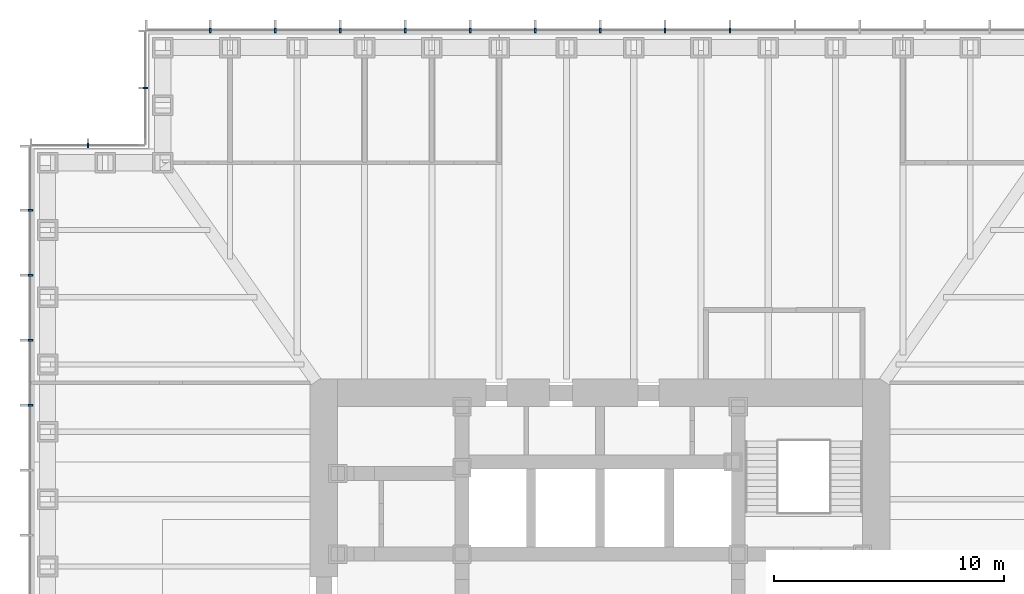
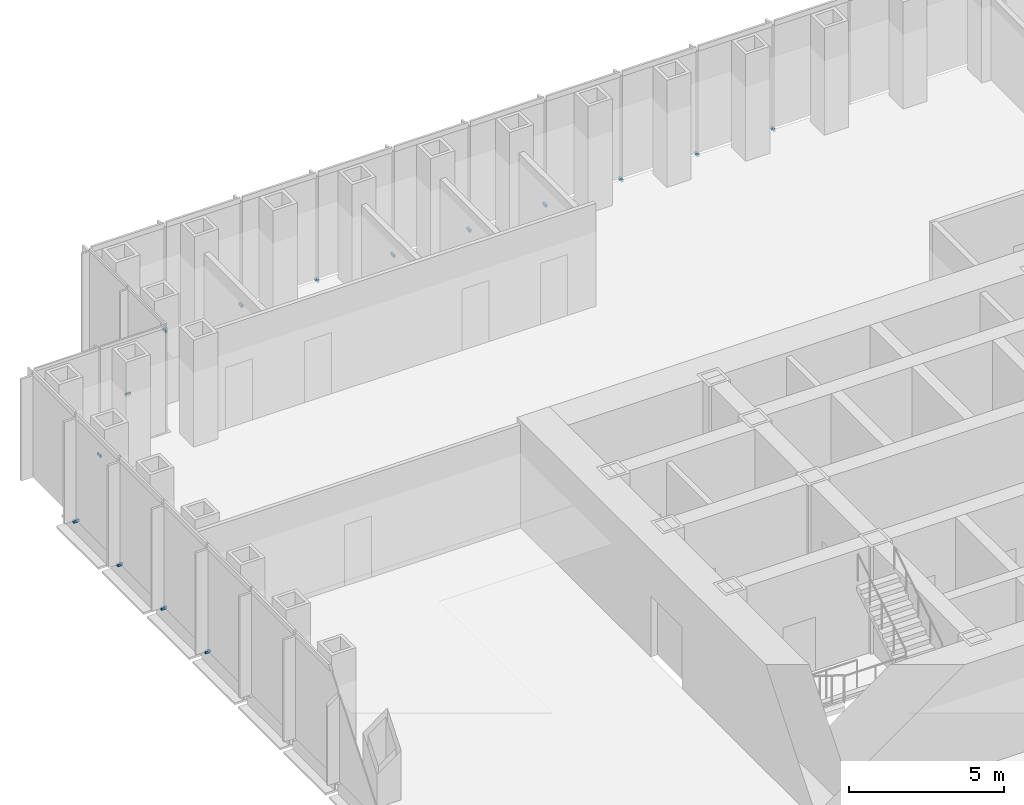
# One storey, part 14 of 16: 15 discrete accessories.
"""IFC4 building model written with IfcOpenShell, lengths in metres."""

from ifc_helpers import new_model, si_unit, direction, frame, origin, origin_2d, place, context, subcontext, project, spatial, rectangle, extrude, element, save


model = new_model("IFC4")

# Units and contexts
model_context = context("Model", 3, precision=1e-05, world=origin(), true_north=direction((0.0, 1.0)))
body_context = subcontext(model_context, "Body", "Model", "MODEL_VIEW")
ifc_project = project(units=[si_unit("LENGTHUNIT", "METRE"), si_unit("AREAUNIT", "SQUARE_METRE"), si_unit("VOLUMEUNIT", "CUBIC_METRE"), si_unit("PLANEANGLEUNIT", "RADIAN"), si_unit("MASSUNIT", "GRAM", prefix="KILO")], contexts=[model_context])

# Site, building, storey
site_placement = place(None, origin())
site = spatial("IfcSite", under=ifc_project, at=site_placement, CompositionType="ELEMENT")
building_placement = place(site_placement, origin())
building = spatial("IfcBuilding", under=site, at=building_placement, Name="Daluyong Arena Tower", CompositionType="ELEMENT")
storey_placement = place(building_placement, frame((0.0, 0.0, 68.5)))
storey = spatial("IfcBuildingStorey", under=building, at=storey_placement, Name="L14", CompositionType="ELEMENT", Elevation=68.5)

# Discrete accessories
for number, where, z_axis, x_axis, name in (
    (1, (61.642822265625, 104.75, -0.10009765625), (0.0, 0.0, 1.0), (-1.0, 0.0, 0.0), "curtain wall L14 N anchor bracket 6"),
    (2, (58.821533203125, 104.75, -0.10009765625), (0.0, 0.0, 1.0), (-1.0, 0.0, 0.0), "curtain wall L14 N anchor bracket 7"),
    (3, (56.0, 104.75, -0.10009765625), (0.0, 0.0, 1.0), (-1.0, 0.0, 0.0), "curtain wall L14 N anchor bracket 8"),
    (4, (53.178466796875, 104.75, -0.10009765625), (0.0, 0.0, 1.0), (-1.0, 0.0, 0.0), "curtain wall L14 N anchor bracket 9"),
    (5, (50.357177734375, 104.75, -0.10009765625), (0.0, 0.0, 1.0), (-1.0, 0.0, 0.0), "curtain wall L14 N anchor bracket 10"),
    (6, (47.53564453125, 104.75, -0.10009765625), (0.0, 0.0, 1.0), (-1.0, 0.0, 0.0), "curtain wall L14 N anchor bracket 11"),
    (7, (44.71435546875, 104.75, -0.10009765625), (0.0, 0.0, 1.0), (-1.0, 0.0, 0.0), "curtain wall L14 N anchor bracket 12"),
    (8, (41.892822265625, 104.75, -0.10009765625), (0.0, 0.0, 1.0), (-1.0, 0.0, 0.0), "curtain wall L14 N anchor bracket 13"),
    (9, (39.071533203125, 104.75, -0.10009765625), (0.0, 0.0, 1.0), (-1.0, 0.0, 0.0), "curtain wall L14 N anchor bracket 14"),
):
    element("IfcDiscreteAccessory", number, at=place(storey_placement, frame(where, z_axis=z_axis, x_axis=x_axis)), inside=storey, Name=name, PredefinedType="BRACKET", context=body_context, shape_type="SweptSolid", body=[
        extrude(rectangle(XDim=0.080078125, YDim=0.199951171875, at=origin_2d()), origin(), (0.0, 0.0, 1.0), 0.10009765625),
    ])
for number, where, z_axis, x_axis, name in (
    (10, (36.25, 102.25, -0.10009765625), (0.0, 0.0, 1.0), (0.0, -1.0, 0.0), "curtain wall L14 NW-W anchor bracket 2"),
    (11, (33.75, 99.75, -0.10009765625), (0.0, 0.0, 1.0), (-1.0, 0.0, 0.0), "curtain wall L14 NW-N anchor bracket 2"),
):
    element("IfcDiscreteAccessory", number, at=place(storey_placement, frame(where, z_axis=z_axis, x_axis=x_axis)), inside=storey, Name=name, PredefinedType="BRACKET", context=body_context, shape_type="SweptSolid", body=[
        extrude(rectangle(XDim=0.06005859375, YDim=0.199951171875, at=origin_2d()), origin(), (0.0, 0.0, 1.0), 0.10009765625),
    ])
for number, where, z_axis, x_axis, name in (
    (12, (31.25, 96.928466796875, -0.10009765625), (0.0, 0.0, 1.0), (0.0, -1.0, 0.0), "curtain wall L14 W anchor bracket 2"),
    (13, (31.25, 94.107177734375, -0.10009765625), (0.0, 0.0, 1.0), (0.0, -1.0, 0.0), "curtain wall L14 W anchor bracket 3"),
    (14, (31.25, 91.28564453125, -0.10009765625), (0.0, 0.0, 1.0), (0.0, -1.0, 0.0), "curtain wall L14 W anchor bracket 4"),
    (15, (31.25, 88.46435546875, -0.10009765625), (0.0, 0.0, 1.0), (0.0, -1.0, 0.0), "curtain wall L14 W anchor bracket 5"),
):
    element("IfcDiscreteAccessory", number, at=place(storey_placement, frame(where, z_axis=z_axis, x_axis=x_axis)), inside=storey, Name=name, PredefinedType="BRACKET", context=body_context, shape_type="SweptSolid", body=[
        extrude(rectangle(XDim=0.080078125, YDim=0.199951171875, at=origin_2d()), origin(), (0.0, 0.0, 1.0), 0.10009765625),
    ])

save(model, "model.ifc")
